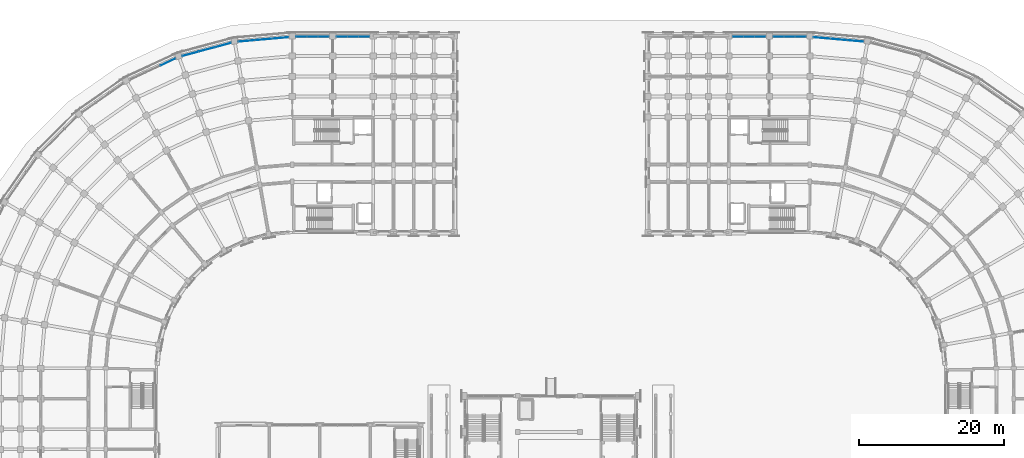
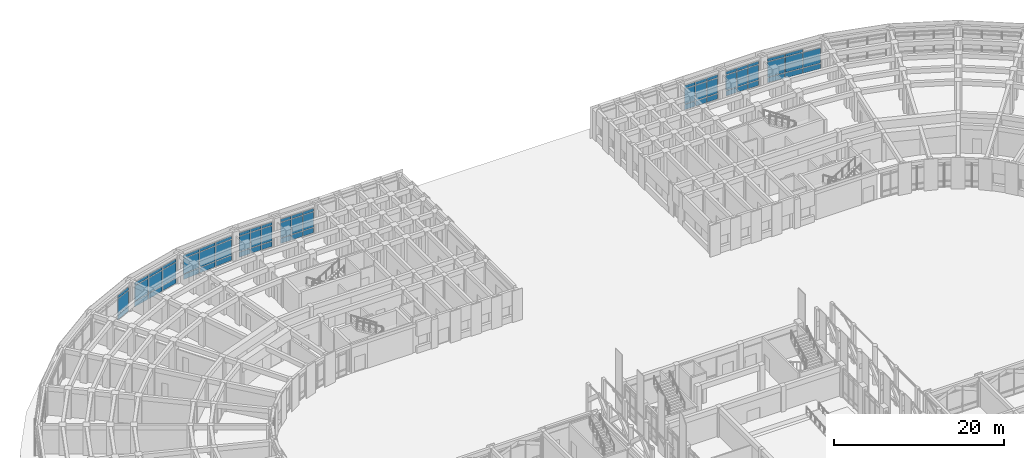
# One storey, part 73 of 135: 65 plates, 8 elements without a shape of their own.
"""IFC4 building model written with IfcOpenShell, lengths in metres."""

from ifc_helpers import new_model, si_unit, direction, frame, origin, origin_2d, place, context, subcontext, project, spatial, rectangle, extrude, material, layer, layer_set, type_object, element, aggregate, save


model = new_model("IFC4")

# Units and contexts
model_context = context("Model", 3, precision=1e-05, world=origin(), true_north=direction((0.0, 1.0)))
body_context = subcontext(model_context, "Body", "Model", "MODEL_VIEW")
ifc_project = project(units=[si_unit("LENGTHUNIT", "METRE"), si_unit("AREAUNIT", "SQUARE_METRE"), si_unit("VOLUMEUNIT", "CUBIC_METRE"), si_unit("PLANEANGLEUNIT", "RADIAN"), si_unit("MASSUNIT", "GRAM", prefix="KILO")], contexts=[model_context])

# Site, building, storey
site_placement = place(None, origin())
site = spatial("IfcSite", under=ifc_project, at=site_placement, CompositionType="ELEMENT")
building_placement = place(site_placement, origin())
building = spatial("IfcBuilding", under=site, at=building_placement, Name="Kiranvali Square Residences", CompositionType="ELEMENT")
storey_placement = place(building_placement, origin())
storey = spatial("IfcBuildingStorey", under=building, at=storey_placement, Name="L00", CompositionType="ELEMENT", Elevation=0.0)

# Curtain wall, plates
ifc_material_1 = material(Name="Anodised bronze aluminium framing", Category="aluminium")
curtain_wall_type = type_object("IfcCurtainWallType", Name="CW-RET-SHOP", PredefinedType="USERDEFINED", material=ifc_material_1)
curtain_wall_1_placement = place(storey_placement, origin())
curtain_wall_1 = element("IfcCurtainWall", 1, at=curtain_wall_1_placement, inside=storey, type_object=curtain_wall_type, Name="Block A L00 rounded-corner arcade curtain wall 1", ObjectType="CURTAIN WALL", PredefinedType="USERDEFINED")
ifc_material_2 = material(Name="Solar-control low-e double glazing", Category="glass")
ifc_layer_1 = layer(ifc_material_2, 0.028076171875)
ifc_layer_set_1 = layer_set([ifc_layer_1], Name="Solar-control low-e double glazing")
plate_type_1 = type_object("IfcPlateType", Name="PLT-CW-GLZ", PredefinedType="CURTAIN_PANEL", material=ifc_layer_set_1)
plate_1_placement = place(storey_placement, frame((46.52978515625, 133.50341796875, 0.89013671875), z_axis=(0.0, 0.0, 1.0), x_axis=(-0.996194698092, -0.087155742748, 0.0)))
plate_1 = element("IfcPlate", 2, at=plate_1_placement, type_object=plate_type_1, Name="CW-A-L00-CRV-00 glazed panel 1.2", PredefinedType="CURTAIN_PANEL", context=body_context, shape_type="SweptSolid", body=[
    extrude(rectangle(XDim=2.239501953125, YDim=0.028076171875, at=origin_2d()), origin(), (0.0, 0.0, 1.0), 2.169921875),
])
plate_2_placement = place(storey_placement, frame((46.52978515625, 133.50341796875, 3.14013671875), z_axis=(0.0, 0.0, 1.0), x_axis=(-0.996194698092, -0.087155742748, 0.0)))
plate_2 = element("IfcPlate", 3, at=plate_2_placement, type_object=plate_type_1, Name="CW-A-L00-CRV-00 glazed panel 1.3", PredefinedType="CURTAIN_PANEL", context=body_context, shape_type="SweptSolid", body=[
    extrude(rectangle(XDim=2.239501953125, YDim=0.028076171875, at=origin_2d()), origin(), (0.0, 0.0, 1.0), 0.429931640625),
])
plate_3_placement = place(storey_placement, frame((44.21923828125, 133.30126953125, 0.89013671875), z_axis=(0.0, 0.0, 1.0), x_axis=(-0.996194698092, -0.087155742748, 0.0)))
plate_3 = element("IfcPlate", 4, at=plate_3_placement, type_object=plate_type_1, Name="CW-A-L00-CRV-00 glazed panel 2.2", PredefinedType="CURTAIN_PANEL", context=body_context, shape_type="SweptSolid", body=[
    extrude(rectangle(XDim=2.239501953125, YDim=0.028076171875, at=origin_2d()), origin(), (0.0, 0.0, 1.0), 2.169921875),
])
plate_4_placement = place(storey_placement, frame((44.21923828125, 133.30126953125, 3.14013671875), z_axis=(0.0, 0.0, 1.0), x_axis=(-0.996194698092, -0.087155742748, 0.0)))
plate_4 = element("IfcPlate", 5, at=plate_4_placement, type_object=plate_type_1, Name="CW-A-L00-CRV-00 glazed panel 2.3", PredefinedType="CURTAIN_PANEL", context=body_context, shape_type="SweptSolid", body=[
    extrude(rectangle(XDim=2.239501953125, YDim=0.028076171875, at=origin_2d()), origin(), (0.0, 0.0, 1.0), 0.429931640625),
])
plate_5_placement = place(storey_placement, frame((41.908447265625, 133.09912109375, 0.89013671875), z_axis=(0.0, 0.0, 1.0), x_axis=(-0.996194698092, -0.087155742748, 0.0)))
plate_5 = element("IfcPlate", 6, at=plate_5_placement, type_object=plate_type_1, Name="CW-A-L00-CRV-00 glazed panel 3.2", PredefinedType="CURTAIN_PANEL", context=body_context, shape_type="SweptSolid", body=[
    extrude(rectangle(XDim=2.239501953125, YDim=0.028076171875, at=origin_2d()), origin(), (0.0, 0.0, 1.0), 2.169921875),
])
plate_6_placement = place(storey_placement, frame((41.908447265625, 133.09912109375, 3.14013671875), z_axis=(0.0, 0.0, 1.0), x_axis=(-0.996194698092, -0.087155742748, 0.0)))
plate_6 = element("IfcPlate", 7, at=plate_6_placement, type_object=plate_type_1, Name="CW-A-L00-CRV-00 glazed panel 3.3", PredefinedType="CURTAIN_PANEL", context=body_context, shape_type="SweptSolid", body=[
    extrude(rectangle(XDim=2.239501953125, YDim=0.028076171875, at=origin_2d()), origin(), (0.0, 0.0, 1.0), 0.429931640625),
])

curtain_wall_2_placement = place(storey_placement, origin())
curtain_wall_2 = element("IfcCurtainWall", 8, at=curtain_wall_2_placement, inside=storey, type_object=curtain_wall_type, Name="Block A L00 rounded-corner arcade curtain wall 2", ObjectType="CURTAIN WALL", PredefinedType="USERDEFINED")
plate_7_placement = place(storey_placement, frame((38.618896484375, 132.51904296875, 0.89013671875), z_axis=(0.0, 0.0, 1.0), x_axis=(-0.965925826289, -0.258819045103, 0.0)))
plate_7 = element("IfcPlate", 9, at=plate_7_placement, type_object=plate_type_1, Name="CW-A-L00-CRV-01 glazed panel 1.2", PredefinedType="CURTAIN_PANEL", context=body_context, shape_type="SweptSolid", body=[
    extrude(rectangle(XDim=2.239501953125, YDim=0.028076171875, at=origin_2d()), origin(), (0.0, 0.0, 1.0), 2.169921875),
])
plate_8_placement = place(storey_placement, frame((38.618896484375, 132.51904296875, 3.14013671875), z_axis=(0.0, 0.0, 1.0), x_axis=(-0.965925826289, -0.258819045103, 0.0)))
plate_8 = element("IfcPlate", 10, at=plate_8_placement, type_object=plate_type_1, Name="CW-A-L00-CRV-01 glazed panel 1.3", PredefinedType="CURTAIN_PANEL", context=body_context, shape_type="SweptSolid", body=[
    extrude(rectangle(XDim=2.239501953125, YDim=0.028076171875, at=origin_2d()), origin(), (0.0, 0.0, 1.0), 0.429931640625),
])
plate_9_placement = place(storey_placement, frame((36.37841796875, 131.918701171875, 0.89013671875), z_axis=(0.0, 0.0, 1.0), x_axis=(-0.965925826289, -0.258819045103, 0.0)))
plate_9 = element("IfcPlate", 11, at=plate_9_placement, type_object=plate_type_1, Name="CW-A-L00-CRV-01 glazed panel 2.2", PredefinedType="CURTAIN_PANEL", context=body_context, shape_type="SweptSolid", body=[
    extrude(rectangle(XDim=2.239501953125, YDim=0.028076171875, at=origin_2d()), origin(), (0.0, 0.0, 1.0), 2.169921875),
])
plate_10_placement = place(storey_placement, frame((36.37841796875, 131.918701171875, 3.14013671875), z_axis=(0.0, 0.0, 1.0), x_axis=(-0.965925826289, -0.258819045103, 0.0)))
plate_10 = element("IfcPlate", 12, at=plate_10_placement, type_object=plate_type_1, Name="CW-A-L00-CRV-01 glazed panel 2.3", PredefinedType="CURTAIN_PANEL", context=body_context, shape_type="SweptSolid", body=[
    extrude(rectangle(XDim=2.239501953125, YDim=0.028076171875, at=origin_2d()), origin(), (0.0, 0.0, 1.0), 0.429931640625),
])
plate_11_placement = place(storey_placement, frame((34.137939453125, 131.318359375, 0.89013671875), z_axis=(0.0, 0.0, 1.0), x_axis=(-0.965925826289, -0.258819045103, 0.0)))
plate_11 = element("IfcPlate", 13, at=plate_11_placement, type_object=plate_type_1, Name="CW-A-L00-CRV-01 glazed panel 3.2", PredefinedType="CURTAIN_PANEL", context=body_context, shape_type="SweptSolid", body=[
    extrude(rectangle(XDim=2.239501953125, YDim=0.028076171875, at=origin_2d()), origin(), (0.0, 0.0, 1.0), 2.169921875),
])
plate_12_placement = place(storey_placement, frame((34.137939453125, 131.318359375, 3.14013671875), z_axis=(0.0, 0.0, 1.0), x_axis=(-0.965925826289, -0.258819045103, 0.0)))
plate_12 = element("IfcPlate", 14, at=plate_12_placement, type_object=plate_type_1, Name="CW-A-L00-CRV-01 glazed panel 3.3", PredefinedType="CURTAIN_PANEL", context=body_context, shape_type="SweptSolid", body=[
    extrude(rectangle(XDim=2.239501953125, YDim=0.028076171875, at=origin_2d()), origin(), (0.0, 0.0, 1.0), 0.429931640625),
])

curtain_wall_3_placement = place(storey_placement, origin())
curtain_wall_3 = element("IfcCurtainWall", 15, at=curtain_wall_3_placement, inside=storey, type_object=curtain_wall_type, Name="Block A L00 rounded-corner arcade curtain wall 3", ObjectType="CURTAIN WALL", PredefinedType="USERDEFINED")
plate_13_placement = place(storey_placement, frame((30.9990234375, 130.17578125, 0.89013671875), z_axis=(0.0, 0.0, 1.0), x_axis=(-0.906307787037, -0.422618261741, 0.0)))
plate_13 = element("IfcPlate", 16, at=plate_13_placement, type_object=plate_type_1, Name="CW-A-L00-CRV-02 glazed panel 1.2", PredefinedType="CURTAIN_PANEL", context=body_context, shape_type="SweptSolid", body=[
    extrude(rectangle(XDim=2.239501953125, YDim=0.028076171875, at=origin_2d()), origin(), (0.0, 0.0, 1.0), 2.169921875),
])
plate_14_placement = place(storey_placement, frame((30.9990234375, 130.17578125, 3.14013671875), z_axis=(0.0, 0.0, 1.0), x_axis=(-0.906307787037, -0.422618261741, 0.0)))
plate_14 = element("IfcPlate", 17, at=plate_14_placement, type_object=plate_type_1, Name="CW-A-L00-CRV-02 glazed panel 1.3", PredefinedType="CURTAIN_PANEL", context=body_context, shape_type="SweptSolid", body=[
    extrude(rectangle(XDim=2.239501953125, YDim=0.028076171875, at=origin_2d()), origin(), (0.0, 0.0, 1.0), 0.429931640625),
])

curtain_wall_4_placement = place(storey_placement, origin())
curtain_wall_4 = element("IfcCurtainWall", 18, at=curtain_wall_4_placement, inside=storey, type_object=curtain_wall_type, Name="L00 curtain wall CW-A-L00-A1-0", ObjectType="CURTAIN WALL", PredefinedType="USERDEFINED")
plate_15_placement = place(storey_placement, frame((49.486572265625, 133.679931640625, 0.89013671875), z_axis=(0.0, 0.0, 1.0), x_axis=(1.0, 0.0, 0.0)))
plate_15 = element("IfcPlate", 19, at=plate_15_placement, type_object=plate_type_1, Name="CW-A-L00-A1-0 glazed panel 1.2", PredefinedType="CURTAIN_PANEL", context=body_context, shape_type="SweptSolid", body=[
    extrude(rectangle(XDim=1.433349609375, YDim=0.028076171875, at=origin_2d()), origin(), (0.0, 0.0, 1.0), 2.169921875),
])
plate_16_placement = place(storey_placement, frame((49.486572265625, 133.679931640625, 3.14013671875), z_axis=(0.0, 0.0, 1.0), x_axis=(1.0, 0.0, 0.0)))
plate_16 = element("IfcPlate", 20, at=plate_16_placement, type_object=plate_type_1, Name="CW-A-L00-A1-0 glazed panel 1.3", PredefinedType="CURTAIN_PANEL", context=body_context, shape_type="SweptSolid", body=[
    extrude(rectangle(XDim=1.433349609375, YDim=0.028076171875, at=origin_2d()), origin(), (0.0, 0.0, 1.0), 0.429931640625),
])
plate_17_placement = place(storey_placement, frame((51.0, 133.679931640625, 0.89013671875), z_axis=(0.0, 0.0, 1.0), x_axis=(1.0, 0.0, 0.0)))
plate_17 = element("IfcPlate", 21, at=plate_17_placement, type_object=plate_type_1, Name="CW-A-L00-A1-0 glazed panel 2.2", PredefinedType="CURTAIN_PANEL", context=body_context, shape_type="SweptSolid", body=[
    extrude(rectangle(XDim=1.433349609375, YDim=0.028076171875, at=origin_2d()), origin(), (0.0, 0.0, 1.0), 2.169921875),
])
plate_18_placement = place(storey_placement, frame((51.0, 133.679931640625, 3.14013671875), z_axis=(0.0, 0.0, 1.0), x_axis=(1.0, 0.0, 0.0)))
plate_18 = element("IfcPlate", 22, at=plate_18_placement, type_object=plate_type_1, Name="CW-A-L00-A1-0 glazed panel 2.3", PredefinedType="CURTAIN_PANEL", context=body_context, shape_type="SweptSolid", body=[
    extrude(rectangle(XDim=1.433349609375, YDim=0.028076171875, at=origin_2d()), origin(), (0.0, 0.0, 1.0), 0.429931640625),
])
plate_19_placement = place(storey_placement, frame((52.513427734375, 133.679931640625, 0.89013671875), z_axis=(0.0, 0.0, 1.0), x_axis=(1.0, 0.0, 0.0)))
plate_19 = element("IfcPlate", 23, at=plate_19_placement, type_object=plate_type_1, Name="CW-A-L00-A1-0 glazed panel 3.2", PredefinedType="CURTAIN_PANEL", context=body_context, shape_type="SweptSolid", body=[
    extrude(rectangle(XDim=1.433349609375, YDim=0.028076171875, at=origin_2d()), origin(), (0.0, 0.0, 1.0), 2.169921875),
])
plate_20_placement = place(storey_placement, frame((52.513427734375, 133.679931640625, 3.14013671875), z_axis=(0.0, 0.0, 1.0), x_axis=(1.0, 0.0, 0.0)))
plate_20 = element("IfcPlate", 24, at=plate_20_placement, type_object=plate_type_1, Name="CW-A-L00-A1-0 glazed panel 3.3", PredefinedType="CURTAIN_PANEL", context=body_context, shape_type="SweptSolid", body=[
    extrude(rectangle(XDim=1.433349609375, YDim=0.028076171875, at=origin_2d()), origin(), (0.0, 0.0, 1.0), 0.429931640625),
])

curtain_wall_5_placement = place(storey_placement, origin())
curtain_wall_5 = element("IfcCurtainWall", 25, at=curtain_wall_5_placement, inside=storey, type_object=curtain_wall_type, Name="L00 curtain wall CW-A-L00-A1-1", ObjectType="CURTAIN WALL", PredefinedType="USERDEFINED")
plate_21_placement = place(storey_placement, frame((55.086669921875, 133.679931640625, 0.89013671875), z_axis=(0.0, 0.0, 1.0), x_axis=(1.0, 0.0, 0.0)))
plate_21 = element("IfcPlate", 26, at=plate_21_placement, type_object=plate_type_1, Name="CW-A-L00-A1-1 glazed panel 1.2", PredefinedType="CURTAIN_PANEL", context=body_context, shape_type="SweptSolid", body=[
    extrude(rectangle(XDim=1.433349609375, YDim=0.028076171875, at=origin_2d()), origin(), (0.0, 0.0, 1.0), 2.169921875),
])
plate_22_placement = place(storey_placement, frame((55.086669921875, 133.679931640625, 3.14013671875), z_axis=(0.0, 0.0, 1.0), x_axis=(1.0, 0.0, 0.0)))
plate_22 = element("IfcPlate", 27, at=plate_22_placement, type_object=plate_type_1, Name="CW-A-L00-A1-1 glazed panel 1.3", PredefinedType="CURTAIN_PANEL", context=body_context, shape_type="SweptSolid", body=[
    extrude(rectangle(XDim=1.433349609375, YDim=0.028076171875, at=origin_2d()), origin(), (0.0, 0.0, 1.0), 0.429931640625),
])
plate_23_placement = place(storey_placement, frame((56.60009765625, 133.679931640625, 0.89013671875), z_axis=(0.0, 0.0, 1.0), x_axis=(1.0, 0.0, 0.0)))
plate_23 = element("IfcPlate", 28, at=plate_23_placement, type_object=plate_type_1, Name="CW-A-L00-A1-1 glazed panel 2.2", PredefinedType="CURTAIN_PANEL", context=body_context, shape_type="SweptSolid", body=[
    extrude(rectangle(XDim=1.433349609375, YDim=0.028076171875, at=origin_2d()), origin(), (0.0, 0.0, 1.0), 2.169921875),
])
plate_24_placement = place(storey_placement, frame((56.60009765625, 133.679931640625, 3.14013671875), z_axis=(0.0, 0.0, 1.0), x_axis=(1.0, 0.0, 0.0)))
plate_24 = element("IfcPlate", 29, at=plate_24_placement, type_object=plate_type_1, Name="CW-A-L00-A1-1 glazed panel 2.3", PredefinedType="CURTAIN_PANEL", context=body_context, shape_type="SweptSolid", body=[
    extrude(rectangle(XDim=1.433349609375, YDim=0.028076171875, at=origin_2d()), origin(), (0.0, 0.0, 1.0), 0.429931640625),
])
plate_25_placement = place(storey_placement, frame((58.11328125, 133.679931640625, 0.89013671875), z_axis=(0.0, 0.0, 1.0), x_axis=(1.0, 0.0, 0.0)))
plate_25 = element("IfcPlate", 30, at=plate_25_placement, type_object=plate_type_1, Name="CW-A-L00-A1-1 glazed panel 3.2", PredefinedType="CURTAIN_PANEL", context=body_context, shape_type="SweptSolid", body=[
    extrude(rectangle(XDim=1.433349609375, YDim=0.028076171875, at=origin_2d()), origin(), (0.0, 0.0, 1.0), 2.169921875),
])
plate_26_placement = place(storey_placement, frame((58.11328125, 133.679931640625, 3.14013671875), z_axis=(0.0, 0.0, 1.0), x_axis=(1.0, 0.0, 0.0)))
plate_26 = element("IfcPlate", 31, at=plate_26_placement, type_object=plate_type_1, Name="CW-A-L00-A1-1 glazed panel 3.3", PredefinedType="CURTAIN_PANEL", context=body_context, shape_type="SweptSolid", body=[
    extrude(rectangle(XDim=1.433349609375, YDim=0.028076171875, at=origin_2d()), origin(), (0.0, 0.0, 1.0), 0.429931640625),
])

curtain_wall_6_placement = place(storey_placement, origin())
curtain_wall_6 = element("IfcCurtainWall", 32, at=curtain_wall_6_placement, inside=storey, type_object=curtain_wall_type, Name="Block B L00 rounded-corner arcade curtain wall 1", ObjectType="CURTAIN WALL", PredefinedType="USERDEFINED")
plate_27_placement = place(storey_placement, frame((121.47021484375, 133.50341796875, 0.89013671875), z_axis=(0.0, 0.0, 1.0), x_axis=(0.996194698092, -0.087155742748, 0.0)))
plate_27 = element("IfcPlate", 33, at=plate_27_placement, type_object=plate_type_1, Name="CW-B-L00-CRV-00 glazed panel 1.2", PredefinedType="CURTAIN_PANEL", context=body_context, shape_type="SweptSolid", body=[
    extrude(rectangle(XDim=2.239501953125, YDim=0.028076171875, at=origin_2d()), origin(), (0.0, 0.0, 1.0), 2.169921875),
])
plate_28_placement = place(storey_placement, frame((121.47021484375, 133.50341796875, 3.14013671875), z_axis=(0.0, 0.0, 1.0), x_axis=(0.996194698092, -0.087155742748, 0.0)))
plate_28 = element("IfcPlate", 34, at=plate_28_placement, type_object=plate_type_1, Name="CW-B-L00-CRV-00 glazed panel 1.3", PredefinedType="CURTAIN_PANEL", context=body_context, shape_type="SweptSolid", body=[
    extrude(rectangle(XDim=2.239501953125, YDim=0.028076171875, at=origin_2d()), origin(), (0.0, 0.0, 1.0), 0.429931640625),
])
plate_29_placement = place(storey_placement, frame((123.78076171875, 133.30126953125, 0.89013671875), z_axis=(0.0, 0.0, 1.0), x_axis=(0.996194698092, -0.087155742748, 0.0)))
plate_29 = element("IfcPlate", 35, at=plate_29_placement, type_object=plate_type_1, Name="CW-B-L00-CRV-00 glazed panel 2.2", PredefinedType="CURTAIN_PANEL", context=body_context, shape_type="SweptSolid", body=[
    extrude(rectangle(XDim=2.239501953125, YDim=0.028076171875, at=origin_2d()), origin(), (0.0, 0.0, 1.0), 2.169921875),
])
plate_30_placement = place(storey_placement, frame((123.78076171875, 133.30126953125, 3.14013671875), z_axis=(0.0, 0.0, 1.0), x_axis=(0.996194698092, -0.087155742748, 0.0)))
plate_30 = element("IfcPlate", 36, at=plate_30_placement, type_object=plate_type_1, Name="CW-B-L00-CRV-00 glazed panel 2.3", PredefinedType="CURTAIN_PANEL", context=body_context, shape_type="SweptSolid", body=[
    extrude(rectangle(XDim=2.239501953125, YDim=0.028076171875, at=origin_2d()), origin(), (0.0, 0.0, 1.0), 0.429931640625),
])
plate_31_placement = place(storey_placement, frame((126.091552734375, 133.09912109375, 0.89013671875), z_axis=(0.0, 0.0, 1.0), x_axis=(0.996194698092, -0.087155742748, 0.0)))
plate_31 = element("IfcPlate", 37, at=plate_31_placement, type_object=plate_type_1, Name="CW-B-L00-CRV-00 glazed panel 3.2", PredefinedType="CURTAIN_PANEL", context=body_context, shape_type="SweptSolid", body=[
    extrude(rectangle(XDim=2.239501953125, YDim=0.028076171875, at=origin_2d()), origin(), (0.0, 0.0, 1.0), 2.169921875),
])

curtain_wall_7_placement = place(storey_placement, origin())
curtain_wall_7 = element("IfcCurtainWall", 38, at=curtain_wall_7_placement, inside=storey, type_object=curtain_wall_type, Name="L00 curtain wall CW-B-L00-A1-0", ObjectType="CURTAIN WALL", PredefinedType="USERDEFINED")
plate_32_placement = place(storey_placement, frame((118.513427734375, 133.679931640625, 0.89013671875), z_axis=(0.0, 0.0, 1.0), x_axis=(-1.0, 0.0, 0.0)))
plate_32 = element("IfcPlate", 39, at=plate_32_placement, type_object=plate_type_1, Name="CW-B-L00-A1-0 glazed panel 1.2", PredefinedType="CURTAIN_PANEL", context=body_context, shape_type="SweptSolid", body=[
    extrude(rectangle(XDim=1.433349609375, YDim=0.028076171875, at=origin_2d()), origin(), (0.0, 0.0, 1.0), 2.169921875),
])
plate_33_placement = place(storey_placement, frame((118.513427734375, 133.679931640625, 3.14013671875), z_axis=(0.0, 0.0, 1.0), x_axis=(-1.0, 0.0, 0.0)))
plate_33 = element("IfcPlate", 40, at=plate_33_placement, type_object=plate_type_1, Name="CW-B-L00-A1-0 glazed panel 1.3", PredefinedType="CURTAIN_PANEL", context=body_context, shape_type="SweptSolid", body=[
    extrude(rectangle(XDim=1.433349609375, YDim=0.028076171875, at=origin_2d()), origin(), (0.0, 0.0, 1.0), 0.429931640625),
])
plate_34_placement = place(storey_placement, frame((117.0, 133.679931640625, 0.89013671875), z_axis=(0.0, 0.0, 1.0), x_axis=(-1.0, 0.0, 0.0)))
plate_34 = element("IfcPlate", 41, at=plate_34_placement, type_object=plate_type_1, Name="CW-B-L00-A1-0 glazed panel 2.2", PredefinedType="CURTAIN_PANEL", context=body_context, shape_type="SweptSolid", body=[
    extrude(rectangle(XDim=1.433349609375, YDim=0.028076171875, at=origin_2d()), origin(), (0.0, 0.0, 1.0), 2.169921875),
])
plate_35_placement = place(storey_placement, frame((117.0, 133.679931640625, 3.14013671875), z_axis=(0.0, 0.0, 1.0), x_axis=(-1.0, 0.0, 0.0)))
plate_35 = element("IfcPlate", 42, at=plate_35_placement, type_object=plate_type_1, Name="CW-B-L00-A1-0 glazed panel 2.3", PredefinedType="CURTAIN_PANEL", context=body_context, shape_type="SweptSolid", body=[
    extrude(rectangle(XDim=1.433349609375, YDim=0.028076171875, at=origin_2d()), origin(), (0.0, 0.0, 1.0), 0.429931640625),
])
plate_36_placement = place(storey_placement, frame((115.486572265625, 133.679931640625, 0.89013671875), z_axis=(0.0, 0.0, 1.0), x_axis=(-1.0, 0.0, 0.0)))
plate_36 = element("IfcPlate", 43, at=plate_36_placement, type_object=plate_type_1, Name="CW-B-L00-A1-0 glazed panel 3.2", PredefinedType="CURTAIN_PANEL", context=body_context, shape_type="SweptSolid", body=[
    extrude(rectangle(XDim=1.433349609375, YDim=0.028076171875, at=origin_2d()), origin(), (0.0, 0.0, 1.0), 2.169921875),
])
plate_37_placement = place(storey_placement, frame((115.486572265625, 133.679931640625, 3.14013671875), z_axis=(0.0, 0.0, 1.0), x_axis=(-1.0, 0.0, 0.0)))
plate_37 = element("IfcPlate", 44, at=plate_37_placement, type_object=plate_type_1, Name="CW-B-L00-A1-0 glazed panel 3.3", PredefinedType="CURTAIN_PANEL", context=body_context, shape_type="SweptSolid", body=[
    extrude(rectangle(XDim=1.433349609375, YDim=0.028076171875, at=origin_2d()), origin(), (0.0, 0.0, 1.0), 0.429931640625),
])

curtain_wall_8_placement = place(storey_placement, origin())
curtain_wall_8 = element("IfcCurtainWall", 45, at=curtain_wall_8_placement, inside=storey, type_object=curtain_wall_type, Name="L00 curtain wall CW-B-L00-A1-1", ObjectType="CURTAIN WALL", PredefinedType="USERDEFINED")
plate_38_placement = place(storey_placement, frame((112.913330078125, 133.679931640625, 0.89013671875), z_axis=(0.0, 0.0, 1.0), x_axis=(-1.0, 0.0, 0.0)))
plate_38 = element("IfcPlate", 46, at=plate_38_placement, type_object=plate_type_1, Name="CW-B-L00-A1-1 glazed panel 1.2", PredefinedType="CURTAIN_PANEL", context=body_context, shape_type="SweptSolid", body=[
    extrude(rectangle(XDim=1.433349609375, YDim=0.028076171875, at=origin_2d()), origin(), (0.0, 0.0, 1.0), 2.169921875),
])
plate_39_placement = place(storey_placement, frame((112.913330078125, 133.679931640625, 3.14013671875), z_axis=(0.0, 0.0, 1.0), x_axis=(-1.0, 0.0, 0.0)))
plate_39 = element("IfcPlate", 47, at=plate_39_placement, type_object=plate_type_1, Name="CW-B-L00-A1-1 glazed panel 1.3", PredefinedType="CURTAIN_PANEL", context=body_context, shape_type="SweptSolid", body=[
    extrude(rectangle(XDim=1.433349609375, YDim=0.028076171875, at=origin_2d()), origin(), (0.0, 0.0, 1.0), 0.429931640625),
])
plate_40_placement = place(storey_placement, frame((111.39990234375, 133.679931640625, 0.89013671875), z_axis=(0.0, 0.0, 1.0), x_axis=(-1.0, 0.0, 0.0)))
plate_40 = element("IfcPlate", 48, at=plate_40_placement, type_object=plate_type_1, Name="CW-B-L00-A1-1 glazed panel 2.2", PredefinedType="CURTAIN_PANEL", context=body_context, shape_type="SweptSolid", body=[
    extrude(rectangle(XDim=1.433349609375, YDim=0.028076171875, at=origin_2d()), origin(), (0.0, 0.0, 1.0), 2.169921875),
])
plate_41_placement = place(storey_placement, frame((111.39990234375, 133.679931640625, 3.14013671875), z_axis=(0.0, 0.0, 1.0), x_axis=(-1.0, 0.0, 0.0)))
plate_41 = element("IfcPlate", 49, at=plate_41_placement, type_object=plate_type_1, Name="CW-B-L00-A1-1 glazed panel 2.3", PredefinedType="CURTAIN_PANEL", context=body_context, shape_type="SweptSolid", body=[
    extrude(rectangle(XDim=1.433349609375, YDim=0.028076171875, at=origin_2d()), origin(), (0.0, 0.0, 1.0), 0.429931640625),
])
plate_42_placement = place(storey_placement, frame((109.88671875, 133.679931640625, 0.89013671875), z_axis=(0.0, 0.0, 1.0), x_axis=(-1.0, 0.0, 0.0)))
plate_42 = element("IfcPlate", 50, at=plate_42_placement, type_object=plate_type_1, Name="CW-B-L00-A1-1 glazed panel 3.2", PredefinedType="CURTAIN_PANEL", context=body_context, shape_type="SweptSolid", body=[
    extrude(rectangle(XDim=1.433349609375, YDim=0.028076171875, at=origin_2d()), origin(), (0.0, 0.0, 1.0), 2.169921875),
])
plate_43_placement = place(storey_placement, frame((109.88671875, 133.679931640625, 3.14013671875), z_axis=(0.0, 0.0, 1.0), x_axis=(-1.0, 0.0, 0.0)))
plate_43 = element("IfcPlate", 51, at=plate_43_placement, type_object=plate_type_1, Name="CW-B-L00-A1-1 glazed panel 3.3", PredefinedType="CURTAIN_PANEL", context=body_context, shape_type="SweptSolid", body=[
    extrude(rectangle(XDim=1.433349609375, YDim=0.028076171875, at=origin_2d()), origin(), (0.0, 0.0, 1.0), 0.429931640625),
])

# Plate
ifc_material_3 = material(Name="Honed Porbandar limestone ashlar facade cladding", Category="masonry")
ifc_layer_2 = layer(ifc_material_3, 0.02392578125)
ifc_layer_set_2 = layer_set([ifc_layer_2], Name="Honed Porbandar limestone ashlar facade cladding")
plate_type_2 = type_object("IfcPlateType", Name="PLT-CW-SPN", PredefinedType="SHEET", material=ifc_layer_set_2)
plate_44_placement = place(storey_placement, frame((46.52978515625, 133.50341796875, 0.080078125), z_axis=(0.0, 0.0, 1.0), x_axis=(-0.996194698092, -0.087155742748, 0.0)))
plate_44 = element("IfcPlate", 52, at=plate_44_placement, type_object=plate_type_2, Name="CW-A-L00-CRV-00 spandrel panel 1.1", PredefinedType="SHEET", context=body_context, shape_type="SweptSolid", body=[
    extrude(rectangle(XDim=2.239501953125, YDim=0.02392578125, at=origin_2d()), origin(), (0.0, 0.0, 1.0), 0.72998046875),
])

plate_45_placement = place(storey_placement, frame((44.21923828125, 133.30126953125, 0.080078125), z_axis=(0.0, 0.0, 1.0), x_axis=(-0.996194698092, -0.087155742748, 0.0)))
plate_45 = element("IfcPlate", 53, at=plate_45_placement, type_object=plate_type_2, Name="CW-A-L00-CRV-00 spandrel panel 2.1", PredefinedType="SHEET", context=body_context, shape_type="SweptSolid", body=[
    extrude(rectangle(XDim=2.239501953125, YDim=0.02392578125, at=origin_2d()), origin(), (0.0, 0.0, 1.0), 0.72998046875),
])

plate_46_placement = place(storey_placement, frame((41.908447265625, 133.09912109375, 0.080078125), z_axis=(0.0, 0.0, 1.0), x_axis=(-0.996194698092, -0.087155742748, 0.0)))
plate_46 = element("IfcPlate", 54, at=plate_46_placement, type_object=plate_type_2, Name="CW-A-L00-CRV-00 spandrel panel 3.1", PredefinedType="SHEET", context=body_context, shape_type="SweptSolid", body=[
    extrude(rectangle(XDim=2.239501953125, YDim=0.02392578125, at=origin_2d()), origin(), (0.0, 0.0, 1.0), 0.72998046875),
])

aggregate(curtain_wall_1, [plate_44, plate_1, plate_2, plate_45, plate_3, plate_4, plate_46, plate_5, plate_6])

plate_47_placement = place(storey_placement, frame((38.618896484375, 132.51904296875, 0.080078125), z_axis=(0.0, 0.0, 1.0), x_axis=(-0.965925826289, -0.258819045103, 0.0)))
plate_47 = element("IfcPlate", 55, at=plate_47_placement, type_object=plate_type_2, Name="CW-A-L00-CRV-01 spandrel panel 1.1", PredefinedType="SHEET", context=body_context, shape_type="SweptSolid", body=[
    extrude(rectangle(XDim=2.239501953125, YDim=0.02392578125, at=origin_2d()), origin(), (0.0, 0.0, 1.0), 0.72998046875),
])

plate_48_placement = place(storey_placement, frame((36.37841796875, 131.918701171875, 0.080078125), z_axis=(0.0, 0.0, 1.0), x_axis=(-0.965925826289, -0.258819045103, 0.0)))
plate_48 = element("IfcPlate", 56, at=plate_48_placement, type_object=plate_type_2, Name="CW-A-L00-CRV-01 spandrel panel 2.1", PredefinedType="SHEET", context=body_context, shape_type="SweptSolid", body=[
    extrude(rectangle(XDim=2.239501953125, YDim=0.02392578125, at=origin_2d()), origin(), (0.0, 0.0, 1.0), 0.72998046875),
])

plate_49_placement = place(storey_placement, frame((34.137939453125, 131.318359375, 0.080078125), z_axis=(0.0, 0.0, 1.0), x_axis=(-0.965925826289, -0.258819045103, 0.0)))
plate_49 = element("IfcPlate", 57, at=plate_49_placement, type_object=plate_type_2, Name="CW-A-L00-CRV-01 spandrel panel 3.1", PredefinedType="SHEET", context=body_context, shape_type="SweptSolid", body=[
    extrude(rectangle(XDim=2.239501953125, YDim=0.02392578125, at=origin_2d()), origin(), (0.0, 0.0, 1.0), 0.72998046875),
])

aggregate(curtain_wall_2, [plate_47, plate_7, plate_8, plate_48, plate_9, plate_10, plate_49, plate_11, plate_12])

plate_50_placement = place(storey_placement, frame((30.9990234375, 130.17578125, 0.080078125), z_axis=(0.0, 0.0, 1.0), x_axis=(-0.906307787037, -0.422618261741, 0.0)))
plate_50 = element("IfcPlate", 58, at=plate_50_placement, type_object=plate_type_2, Name="CW-A-L00-CRV-02 spandrel panel 1.1", PredefinedType="SHEET", context=body_context, shape_type="SweptSolid", body=[
    extrude(rectangle(XDim=2.239501953125, YDim=0.02392578125, at=origin_2d()), origin(), (0.0, 0.0, 1.0), 0.72998046875),
])

aggregate(curtain_wall_3, [plate_50, plate_13, plate_14])

plate_51_placement = place(storey_placement, frame((49.486572265625, 133.679931640625, 0.080078125), z_axis=(0.0, 0.0, 1.0), x_axis=(1.0, 0.0, 0.0)))
plate_51 = element("IfcPlate", 59, at=plate_51_placement, type_object=plate_type_2, Name="CW-A-L00-A1-0 spandrel panel 1.1", PredefinedType="SHEET", context=body_context, shape_type="SweptSolid", body=[
    extrude(rectangle(XDim=1.433349609375, YDim=0.02392578125, at=origin_2d()), origin(), (0.0, 0.0, 1.0), 0.72998046875),
])

plate_52_placement = place(storey_placement, frame((51.0, 133.679931640625, 0.080078125), z_axis=(0.0, 0.0, 1.0), x_axis=(1.0, 0.0, 0.0)))
plate_52 = element("IfcPlate", 60, at=plate_52_placement, type_object=plate_type_2, Name="CW-A-L00-A1-0 spandrel panel 2.1", PredefinedType="SHEET", context=body_context, shape_type="SweptSolid", body=[
    extrude(rectangle(XDim=1.433349609375, YDim=0.02392578125, at=origin_2d()), origin(), (0.0, 0.0, 1.0), 0.72998046875),
])

plate_53_placement = place(storey_placement, frame((52.513427734375, 133.679931640625, 0.080078125), z_axis=(0.0, 0.0, 1.0), x_axis=(1.0, 0.0, 0.0)))
plate_53 = element("IfcPlate", 61, at=plate_53_placement, type_object=plate_type_2, Name="CW-A-L00-A1-0 spandrel panel 3.1", PredefinedType="SHEET", context=body_context, shape_type="SweptSolid", body=[
    extrude(rectangle(XDim=1.433349609375, YDim=0.02392578125, at=origin_2d()), origin(), (0.0, 0.0, 1.0), 0.72998046875),
])

aggregate(curtain_wall_4, [plate_51, plate_15, plate_16, plate_52, plate_17, plate_18, plate_53, plate_19, plate_20])

plate_54_placement = place(storey_placement, frame((55.086669921875, 133.679931640625, 0.080078125), z_axis=(0.0, 0.0, 1.0), x_axis=(1.0, 0.0, 0.0)))
plate_54 = element("IfcPlate", 62, at=plate_54_placement, type_object=plate_type_2, Name="CW-A-L00-A1-1 spandrel panel 1.1", PredefinedType="SHEET", context=body_context, shape_type="SweptSolid", body=[
    extrude(rectangle(XDim=1.433349609375, YDim=0.02392578125, at=origin_2d()), origin(), (0.0, 0.0, 1.0), 0.72998046875),
])

plate_55_placement = place(storey_placement, frame((56.60009765625, 133.679931640625, 0.080078125), z_axis=(0.0, 0.0, 1.0), x_axis=(1.0, 0.0, 0.0)))
plate_55 = element("IfcPlate", 63, at=plate_55_placement, type_object=plate_type_2, Name="CW-A-L00-A1-1 spandrel panel 2.1", PredefinedType="SHEET", context=body_context, shape_type="SweptSolid", body=[
    extrude(rectangle(XDim=1.433349609375, YDim=0.02392578125, at=origin_2d()), origin(), (0.0, 0.0, 1.0), 0.72998046875),
])

plate_56_placement = place(storey_placement, frame((58.11328125, 133.679931640625, 0.080078125), z_axis=(0.0, 0.0, 1.0), x_axis=(1.0, 0.0, 0.0)))
plate_56 = element("IfcPlate", 64, at=plate_56_placement, type_object=plate_type_2, Name="CW-A-L00-A1-1 spandrel panel 3.1", PredefinedType="SHEET", context=body_context, shape_type="SweptSolid", body=[
    extrude(rectangle(XDim=1.433349609375, YDim=0.02392578125, at=origin_2d()), origin(), (0.0, 0.0, 1.0), 0.72998046875),
])

aggregate(curtain_wall_5, [plate_54, plate_21, plate_22, plate_55, plate_23, plate_24, plate_56, plate_25, plate_26])

plate_57_placement = place(storey_placement, frame((121.47021484375, 133.50341796875, 0.080078125), z_axis=(0.0, 0.0, 1.0), x_axis=(0.996194698092, -0.087155742748, 0.0)))
plate_57 = element("IfcPlate", 65, at=plate_57_placement, type_object=plate_type_2, Name="CW-B-L00-CRV-00 spandrel panel 1.1", PredefinedType="SHEET", context=body_context, shape_type="SweptSolid", body=[
    extrude(rectangle(XDim=2.239501953125, YDim=0.02392578125, at=origin_2d()), origin(), (0.0, 0.0, 1.0), 0.72998046875),
])

plate_58_placement = place(storey_placement, frame((123.78076171875, 133.30126953125, 0.080078125), z_axis=(0.0, 0.0, 1.0), x_axis=(0.996194698092, -0.087155742748, 0.0)))
plate_58 = element("IfcPlate", 66, at=plate_58_placement, type_object=plate_type_2, Name="CW-B-L00-CRV-00 spandrel panel 2.1", PredefinedType="SHEET", context=body_context, shape_type="SweptSolid", body=[
    extrude(rectangle(XDim=2.239501953125, YDim=0.02392578125, at=origin_2d()), origin(), (0.0, 0.0, 1.0), 0.72998046875),
])

plate_59_placement = place(storey_placement, frame((126.091552734375, 133.09912109375, 0.080078125), z_axis=(0.0, 0.0, 1.0), x_axis=(0.996194698092, -0.087155742748, 0.0)))
plate_59 = element("IfcPlate", 67, at=plate_59_placement, type_object=plate_type_2, Name="CW-B-L00-CRV-00 spandrel panel 3.1", PredefinedType="SHEET", context=body_context, shape_type="SweptSolid", body=[
    extrude(rectangle(XDim=2.239501953125, YDim=0.02392578125, at=origin_2d()), origin(), (0.0, 0.0, 1.0), 0.72998046875),
])

aggregate(curtain_wall_6, [plate_57, plate_27, plate_28, plate_58, plate_29, plate_30, plate_59, plate_31])

plate_60_placement = place(storey_placement, frame((118.513427734375, 133.679931640625, 0.080078125), z_axis=(0.0, 0.0, 1.0), x_axis=(-1.0, 0.0, 0.0)))
plate_60 = element("IfcPlate", 68, at=plate_60_placement, type_object=plate_type_2, Name="CW-B-L00-A1-0 spandrel panel 1.1", PredefinedType="SHEET", context=body_context, shape_type="SweptSolid", body=[
    extrude(rectangle(XDim=1.433349609375, YDim=0.02392578125, at=origin_2d()), origin(), (0.0, 0.0, 1.0), 0.72998046875),
])

plate_61_placement = place(storey_placement, frame((117.0, 133.679931640625, 0.080078125), z_axis=(0.0, 0.0, 1.0), x_axis=(-1.0, 0.0, 0.0)))
plate_61 = element("IfcPlate", 69, at=plate_61_placement, type_object=plate_type_2, Name="CW-B-L00-A1-0 spandrel panel 2.1", PredefinedType="SHEET", context=body_context, shape_type="SweptSolid", body=[
    extrude(rectangle(XDim=1.433349609375, YDim=0.02392578125, at=origin_2d()), origin(), (0.0, 0.0, 1.0), 0.72998046875),
])

plate_62_placement = place(storey_placement, frame((115.486572265625, 133.679931640625, 0.080078125), z_axis=(0.0, 0.0, 1.0), x_axis=(-1.0, 0.0, 0.0)))
plate_62 = element("IfcPlate", 70, at=plate_62_placement, type_object=plate_type_2, Name="CW-B-L00-A1-0 spandrel panel 3.1", PredefinedType="SHEET", context=body_context, shape_type="SweptSolid", body=[
    extrude(rectangle(XDim=1.433349609375, YDim=0.02392578125, at=origin_2d()), origin(), (0.0, 0.0, 1.0), 0.72998046875),
])

aggregate(curtain_wall_7, [plate_60, plate_32, plate_33, plate_61, plate_34, plate_35, plate_62, plate_36, plate_37])

plate_63_placement = place(storey_placement, frame((112.913330078125, 133.679931640625, 0.080078125), z_axis=(0.0, 0.0, 1.0), x_axis=(-1.0, 0.0, 0.0)))
plate_63 = element("IfcPlate", 71, at=plate_63_placement, type_object=plate_type_2, Name="CW-B-L00-A1-1 spandrel panel 1.1", PredefinedType="SHEET", context=body_context, shape_type="SweptSolid", body=[
    extrude(rectangle(XDim=1.433349609375, YDim=0.02392578125, at=origin_2d()), origin(), (0.0, 0.0, 1.0), 0.72998046875),
])

plate_64_placement = place(storey_placement, frame((111.39990234375, 133.679931640625, 0.080078125), z_axis=(0.0, 0.0, 1.0), x_axis=(-1.0, 0.0, 0.0)))
plate_64 = element("IfcPlate", 72, at=plate_64_placement, type_object=plate_type_2, Name="CW-B-L00-A1-1 spandrel panel 2.1", PredefinedType="SHEET", context=body_context, shape_type="SweptSolid", body=[
    extrude(rectangle(XDim=1.433349609375, YDim=0.02392578125, at=origin_2d()), origin(), (0.0, 0.0, 1.0), 0.72998046875),
])

plate_65_placement = place(storey_placement, frame((109.88671875, 133.679931640625, 0.080078125), z_axis=(0.0, 0.0, 1.0), x_axis=(-1.0, 0.0, 0.0)))
plate_65 = element("IfcPlate", 73, at=plate_65_placement, type_object=plate_type_2, Name="CW-B-L00-A1-1 spandrel panel 3.1", PredefinedType="SHEET", context=body_context, shape_type="SweptSolid", body=[
    extrude(rectangle(XDim=1.433349609375, YDim=0.02392578125, at=origin_2d()), origin(), (0.0, 0.0, 1.0), 0.72998046875),
])

aggregate(curtain_wall_8, [plate_63, plate_38, plate_39, plate_64, plate_40, plate_41, plate_65, plate_42, plate_43])

save(model, "model.ifc")
